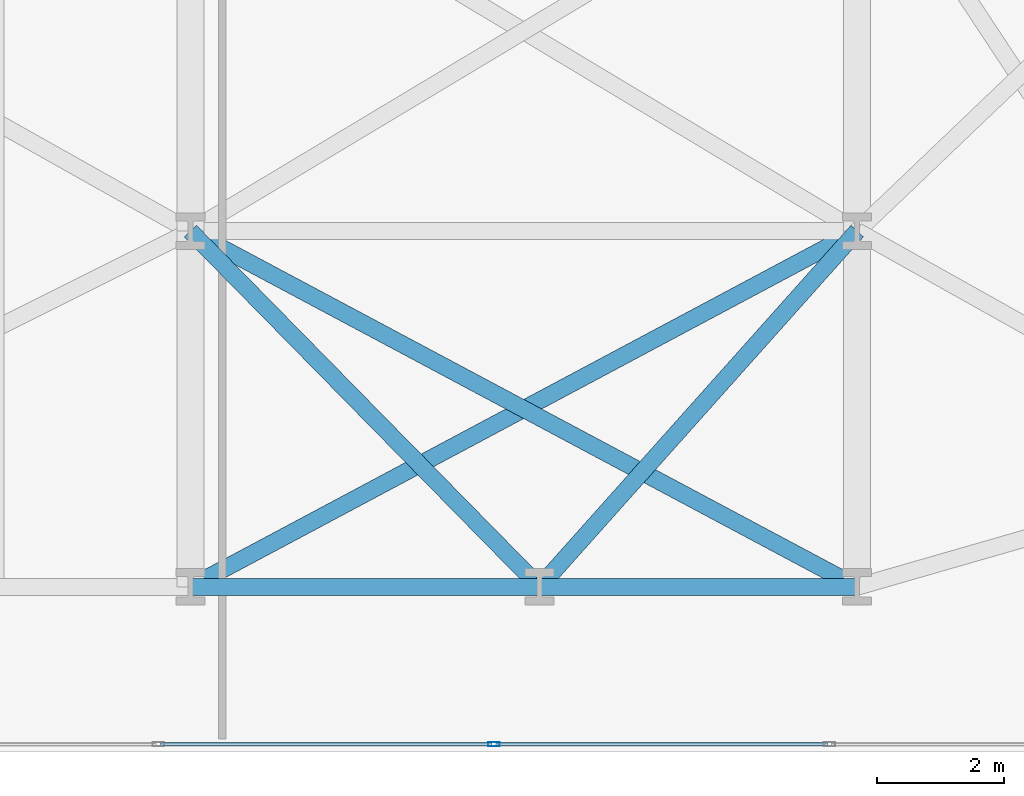
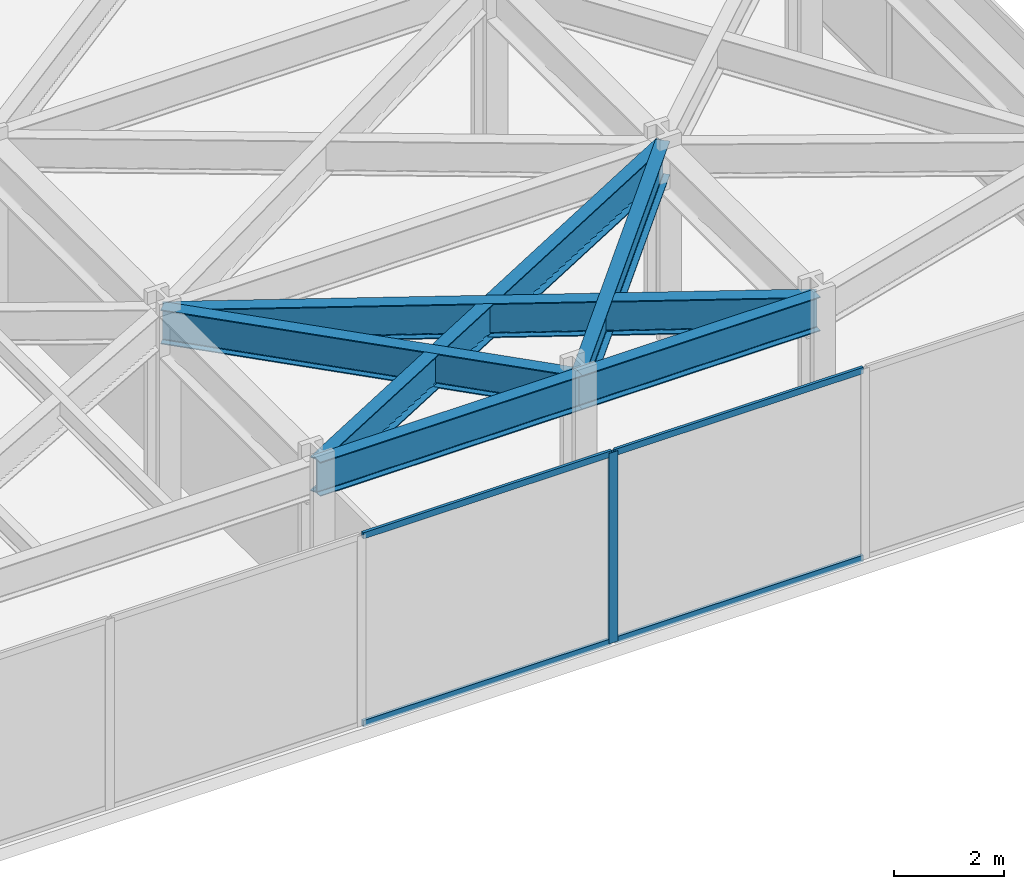
# One storey, part 17 of 28: 6 beams, 5 members, 1 element without a shape of its own.
"""IFC4 building model written with IfcOpenShell, lengths in metres."""

from ifc_helpers import new_model, si_unit, direction, frame, origin, origin_2d, place, context, subcontext, project, spatial, hollow_rectangle, i_section, extrude, material, layer, layer_set, material_profile, profile_set, type_object, element, aggregate, save


model = new_model("IFC4")

# Units and contexts
model_context = context("Model", 3, precision=1e-05, world=origin(), true_north=direction((0.0, 1.0)))
body_context = subcontext(model_context, "Body", "Model", "MODEL_VIEW")
ifc_project = project(units=[si_unit("LENGTHUNIT", "METRE"), si_unit("AREAUNIT", "SQUARE_METRE"), si_unit("VOLUMEUNIT", "CUBIC_METRE"), si_unit("PLANEANGLEUNIT", "RADIAN"), si_unit("MASSUNIT", "GRAM", prefix="KILO")], contexts=[model_context])

# Site, building, storey
site_placement = place(None, origin())
site = spatial("IfcSite", under=ifc_project, at=site_placement, CompositionType="ELEMENT")
building_placement = place(site_placement, origin())
building = spatial("IfcBuilding", under=site, at=building_placement, Name="Kravanh Interchange Tower", CompositionType="ELEMENT")
storey_placement = place(building_placement, frame((0.0, 0.0, 15.300048828125)))
storey = spatial("IfcBuildingStorey", under=building, at=storey_placement, Name="L03", CompositionType="ELEMENT", Elevation=15.300048828125)

# Curtain wall, members
ifc_material_1 = material(Name="Anodised Bronze Aluminium", Category="aluminium")
ifc_layer = layer(ifc_material_1, 0.179931640625)
ifc_layer_set = layer_set([ifc_layer], Name="Unitised Curtain Wall System CW-POD Podium Concourse")
curtain_wall_type = type_object("IfcCurtainWallType", Name="Unitised Curtain Wall System CW-POD Podium Concourse", PredefinedType="NOTDEFINED", material=ifc_layer_set)
curtain_wall_placement = place(storey_placement, origin())
curtain_wall = element("IfcCurtainWall", 1, at=curtain_wall_placement, inside=storey, type_object=curtain_wall_type, Name="L03 Unitised Curtain Wall CW-L03-04", PredefinedType="NOTDEFINED")
ifc_material_2 = material(Name="Anodised Bronze Aluminium", Category="aluminium")
ifc_material_profile_1 = material_profile(ifc_material_2, hollow_rectangle(XDim=0.070068359375, YDim=0.179931640625, WallThickness=0.00390625, at=origin_2d()), Name="ALU70X180X4")
ifc_profile_set_1 = profile_set([ifc_material_profile_1], Name="Anodised Bronze Aluminium")
member_type_1 = type_object("IfcMemberType", Name="Curtain Wall Mullion ALU70X180X4 Bronze", PredefinedType="MULLION", material=ifc_profile_set_1)
member_1_placement = place(storey_placement, frame((60.781005859375, 0.1201171875, 0.0), z_axis=(0.0, 0.0, 1.0), x_axis=(0.0, -1.0, 0.0)))
member_1 = element("IfcMember", 2, at=member_1_placement, type_object=member_type_1, Name="CW-POD mullion 3", PredefinedType="MULLION", context=body_context, shape_type="SweptSolid", body=[
    extrude(hollow_rectangle(XDim=0.070068359375, YDim=0.179931640625, WallThickness=0.00390625, at=origin_2d()), origin(), (0.0, 0.0, 1.0), 4.22998046875),
])
ifc_material_3 = material(Name="Anodised Bronze Aluminium", Category="aluminium")
ifc_material_profile_2 = material_profile(ifc_material_3, hollow_rectangle(XDim=0.06005859375, YDim=0.139892578125, WallThickness=0.00390625, at=origin_2d()), Name="ALU60X140X4")
ifc_profile_set_2 = profile_set([ifc_material_profile_2], Name="Anodised Bronze Aluminium")
member_type_2 = type_object("IfcMemberType", Name="Curtain Wall Transom ALU60X140X4 Bronze", PredefinedType="USERDEFINED", material=ifc_profile_set_2)
member_2_placement = place(storey_placement, frame((66.030517578125, 0.1201171875, 0.030029296875), z_axis=(-1.0, 0.0, 0.0), x_axis=(0.0, -1.0, 0.0)))
member_2 = element("IfcMember", 3, at=member_2_placement, type_object=member_type_2, Name="CW-POD transom 2.1", ObjectType="TRANSOM", PredefinedType="USERDEFINED", context=body_context, shape_type="SweptSolid", body=[
    extrude(hollow_rectangle(XDim=0.06005859375, YDim=0.139892578125, WallThickness=0.00390625, at=origin_2d()), origin(), (0.0, 0.0, 1.0), 5.214599609375),
])
member_3_placement = place(storey_placement, frame((66.030517578125, 0.1201171875, 4.199951171875), z_axis=(-1.0, 0.0, 0.0), x_axis=(0.0, -1.0, 0.0)))
member_3 = element("IfcMember", 4, at=member_3_placement, type_object=member_type_2, Name="CW-POD transom 2.2", ObjectType="TRANSOM", PredefinedType="USERDEFINED", context=body_context, shape_type="SweptSolid", body=[
    extrude(hollow_rectangle(XDim=0.06005859375, YDim=0.139892578125, WallThickness=0.00390625, at=origin_2d()), origin(), (0.0, 0.0, 1.0), 5.214599609375),
])
member_4_placement = place(storey_placement, frame((60.74609375, 0.1201171875, 0.030029296875), z_axis=(-1.0, 0.0, 0.0), x_axis=(0.0, -1.0, 0.0)))
member_4 = element("IfcMember", 5, at=member_4_placement, type_object=member_type_2, Name="CW-POD transom 3.1", ObjectType="TRANSOM", PredefinedType="USERDEFINED", context=body_context, shape_type="SweptSolid", body=[
    extrude(hollow_rectangle(XDim=0.06005859375, YDim=0.139892578125, WallThickness=0.00390625, at=origin_2d()), origin(), (0.0, 0.0, 1.0), 5.21484375),
])
member_5_placement = place(storey_placement, frame((60.74609375, 0.1201171875, 4.199951171875), z_axis=(-1.0, 0.0, 0.0), x_axis=(0.0, -1.0, 0.0)))
member_5 = element("IfcMember", 6, at=member_5_placement, type_object=member_type_2, Name="CW-POD transom 3.2", ObjectType="TRANSOM", PredefinedType="USERDEFINED", context=body_context, shape_type="SweptSolid", body=[
    extrude(hollow_rectangle(XDim=0.06005859375, YDim=0.139892578125, WallThickness=0.00390625, at=origin_2d()), origin(), (0.0, 0.0, 1.0), 5.21484375),
])
aggregate(curtain_wall, [member_1, member_2, member_3, member_4, member_5])

# Beams
ifc_material_4 = material(Name="Structural Steel S355", Category="steel")
ifc_material_profile_3 = material_profile(ifc_material_4, i_section(OverallWidth=0.26708984375, OverallDepth=0.761962890625, WebThickness=0.014404296875, FlangeThickness=0.021484375, FilletRadius=0.02490234375, at=origin_2d()), Name="W30X116")
ifc_profile_set_3 = profile_set([ifc_material_profile_3], Name="Structural Steel S355")
beam_type = type_object("IfcBeamType", Name="Floor Spandrel W30X116 Structural Steel S355", PredefinedType="SPANDREL", material=ifc_profile_set_3)
beam_1_placement = place(storey_placement, frame((56.0, 2.60009765625, 3.848876953125), z_axis=(1.0, 0.0, 0.0), x_axis=(0.0, 1.0, 0.0)))
element("IfcBeam", 7, at=beam_1_placement, inside=storey, type_object=beam_type, Name="L03 Perimeter Spandrel 13", PredefinedType="SPANDREL", context=body_context, shape_type="SweptSolid", body=[
    extrude(i_section(OverallWidth=0.26708984375, OverallDepth=0.761962890625, WebThickness=0.014404296875, FlangeThickness=0.021484375, FilletRadius=0.02490234375, at=origin_2d()), origin(), (0.0, 0.0, 1.0), 5.5),
])
beam_2_placement = place(storey_placement, frame((56.0, 2.60009765625, 3.848876953125), z_axis=(0.882358052411, 0.470578651603, 0.0), x_axis=(-0.470578651603, 0.882358052411, 0.0)))
element("IfcBeam", 8, at=beam_2_placement, inside=storey, type_object=beam_type, Name="L03 Perimeter Spandrel 15", PredefinedType="SPANDREL", context=body_context, shape_type="SweptSolid", body=[
    extrude(i_section(OverallWidth=0.26708984375, OverallDepth=0.761962890625, WebThickness=0.014404296875, FlangeThickness=0.021484375, FilletRadius=0.02490234375, at=origin_2d()), origin(), (0.0, 0.0, 1.0), 11.89990234375),
])
beam_3_placement = place(storey_placement, frame((61.5, 2.60009765625, 3.848876953125), z_axis=(1.0, 0.0, 0.0), x_axis=(0.0, 1.0, 0.0)))
element("IfcBeam", 9, at=beam_3_placement, inside=storey, type_object=beam_type, Name="L03 Perimeter Spandrel 16", PredefinedType="SPANDREL", context=body_context, shape_type="SweptSolid", body=[
    extrude(i_section(OverallWidth=0.26708984375, OverallDepth=0.761962890625, WebThickness=0.014404296875, FlangeThickness=0.021484375, FilletRadius=0.02490234375, at=origin_2d()), origin(), (0.0, 0.0, 1.0), 5.0),
])
beam_4_placement = place(storey_placement, frame((61.5, 2.60009765625, 3.848876953125), z_axis=(0.666025463167, 0.745929006282, 0.0), x_axis=(-0.745929006282, 0.666025463167, 0.0)))
element("IfcBeam", 10, at=beam_4_placement, inside=storey, type_object=beam_type, Name="L03 Perimeter Spandrel 17", PredefinedType="SPANDREL", context=body_context, shape_type="SweptSolid", body=[
    extrude(i_section(OverallWidth=0.26708984375, OverallDepth=0.761962890625, WebThickness=0.014404296875, FlangeThickness=0.021484375, FilletRadius=0.02490234375, at=origin_2d()), origin(), (0.0, 0.0, 1.0), 7.50732421875),
])
beam_5_placement = place(storey_placement, frame((61.5, 2.60009765625, 3.848876953125), z_axis=(-0.700717344595, 0.71343899738, 0.0), x_axis=(-0.71343899738, -0.700717344595, 0.0)))
element("IfcBeam", 11, at=beam_5_placement, inside=storey, type_object=beam_type, Name="L03 Perimeter Spandrel 18", PredefinedType="SPANDREL", context=body_context, shape_type="SweptSolid", body=[
    extrude(i_section(OverallWidth=0.26708984375, OverallDepth=0.761962890625, WebThickness=0.014404296875, FlangeThickness=0.021484375, FilletRadius=0.02490234375, at=origin_2d()), origin(), (0.0, 0.0, 1.0), 7.84912109375),
])
beam_6_placement = place(storey_placement, frame((66.5, 2.60009765625, 3.848876953125), z_axis=(-0.882358052411, 0.470578651603, 0.0), x_axis=(-0.470578651603, -0.882358052411, 0.0)))
element("IfcBeam", 12, at=beam_6_placement, inside=storey, type_object=beam_type, Name="L03 Perimeter Spandrel 22", PredefinedType="SPANDREL", context=body_context, shape_type="SweptSolid", body=[
    extrude(i_section(OverallWidth=0.26708984375, OverallDepth=0.761962890625, WebThickness=0.014404296875, FlangeThickness=0.021484375, FilletRadius=0.02490234375, at=origin_2d()), origin(), (0.0, 0.0, 1.0), 11.89990234375),
])

save(model, "model.ifc")
